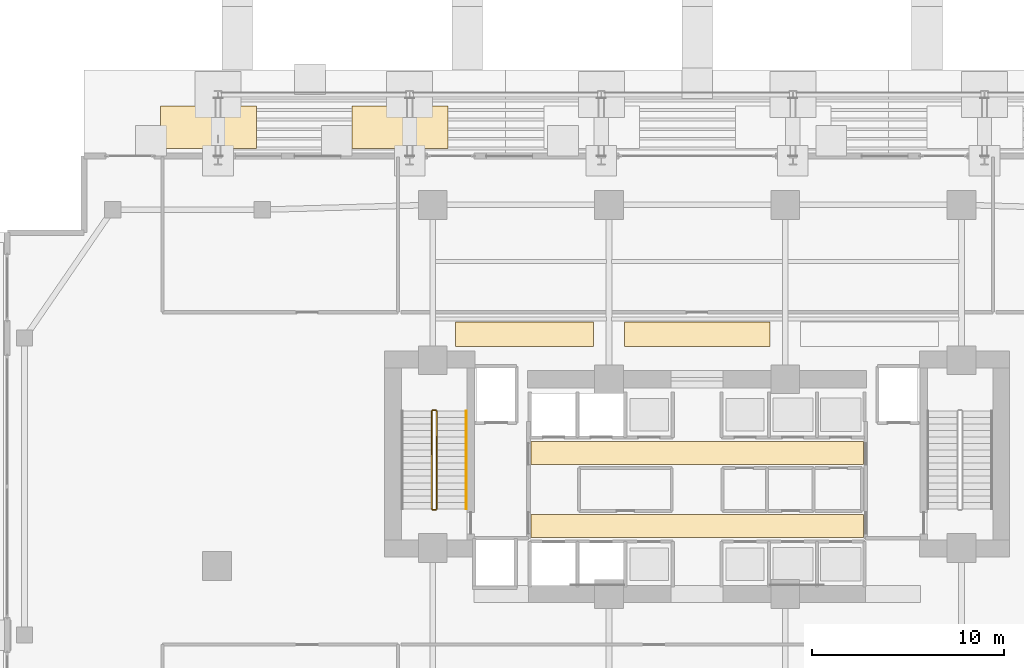
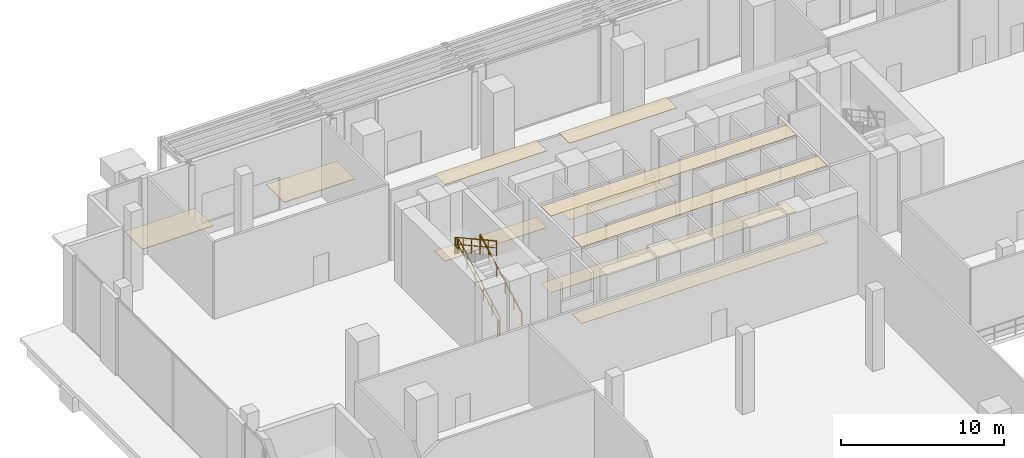
# One storey, part 35 of 39: 10 coverings, 5 railings.
"""IFC4 building model written with IfcOpenShell, lengths in metres."""

from ifc_helpers import new_model, si_unit, direction, frame, origin, origin_2d, place, context, subcontext, project, spatial, polyline, rectangle, outline, extrude, material, layer, layer_set, type_object, element, save


model = new_model("IFC4")

# Units and contexts
model_context = context("Model", 3, precision=1e-05, world=origin(), true_north=direction((0.0, 1.0)))
body_context = subcontext(model_context, "Body", "Model", "MODEL_VIEW")
ifc_project = project(units=[si_unit("LENGTHUNIT", "METRE"), si_unit("AREAUNIT", "SQUARE_METRE"), si_unit("VOLUMEUNIT", "CUBIC_METRE"), si_unit("PLANEANGLEUNIT", "RADIAN"), si_unit("MASSUNIT", "GRAM", prefix="KILO")], contexts=[model_context])

# Site, building, storey
site_placement = place(None, origin())
site = spatial("IfcSite", under=ifc_project, at=site_placement, CompositionType="ELEMENT")
building_placement = place(site_placement, origin())
building = spatial("IfcBuilding", under=site, at=building_placement, Name="Zuhayl Quay Hotel", CompositionType="ELEMENT")
storey_placement = place(building_placement, origin())
storey = spatial("IfcBuildingStorey", under=building, at=storey_placement, Name="L00", CompositionType="ELEMENT", Elevation=0.0)

# Coverings
ifc_material_1 = material(Name="Acoustic Mineral-Fibre Gypsum Board")
ifc_layer_1 = layer(ifc_material_1, 0.02490234375, Name="Acoustic Mineral-Fibre Gypsum Board")
ifc_layer_set_1 = layer_set([ifc_layer_1], Name="Acoustic Mineral-Fibre Gypsum Board")
covering_type_1 = type_object("IfcCoveringType", Name="CV_CEIL_ACOUSTIC", PredefinedType="CEILING", material=ifc_layer_set_1)
covering_1_placement = place(storey_placement, frame((0.0, 0.0, 5.72509765625)))
element("IfcCovering", 1, at=covering_1_placement, inside=storey, type_object=covering_type_1, Name="L00 Suspended Acoustic Lobby Ceiling S", PredefinedType="CEILING", context=body_context, shape_type="SweptSolid", body=[
    extrude(outline(polyline([(-8.679931640625, 5.10009765625), (8.679931640625, 5.10009765625), (8.679931640625, 6.300048828125), (-8.679931640625, 6.300048828125), (-8.679931640625, 5.10009765625)])), origin(), (0.0, 0.0, 1.0), 0.02490234375),
])
covering_2_placement = place(storey_placement, frame((0.0, 0.0, 5.72509765625)))
element("IfcCovering", 2, at=covering_2_placement, inside=storey, type_object=covering_type_1, Name="L00 Suspended Acoustic Lobby Ceiling N", PredefinedType="CEILING", context=body_context, shape_type="SweptSolid", body=[
    extrude(outline(polyline([(-8.679931640625, 8.89990234375), (8.679931640625, 8.89990234375), (8.679931640625, 10.10009765625), (-8.679931640625, 10.10009765625), (-8.679931640625, 8.89990234375)])), origin(), (0.0, 0.0, 1.0), 0.02490234375),
])
covering_3_placement = place(storey_placement, frame((0.0, 0.0, 5.72509765625)))
element("IfcCovering", 3, at=covering_3_placement, inside=storey, type_object=covering_type_1, Name="L00 Guest Corridor Acoustic Ceiling CW", PredefinedType="CEILING", context=body_context, shape_type="SweptSolid", body=[
    extrude(outline(polyline([(-12.60009765625, 15.050048828125), (-5.39990234375, 15.050048828125), (-5.39990234375, 16.35009765625), (-12.60009765625, 16.35009765625), (-12.60009765625, 15.050048828125)])), origin(), (0.0, 0.0, 1.0), 0.02490234375),
])
covering_4_placement = place(storey_placement, frame((0.0, 0.0, 5.72509765625)))
element("IfcCovering", 4, at=covering_4_placement, inside=storey, type_object=covering_type_1, Name="L00 Guest Corridor Acoustic Ceiling CC", PredefinedType="CEILING", context=body_context, shape_type="SweptSolid", body=[
    extrude(outline(polyline([(-3.800048828125, 15.050048828125), (3.800048828125, 15.050048828125), (3.800048828125, 16.35009765625), (-3.800048828125, 16.35009765625), (-3.800048828125, 15.050048828125)])), origin(), (0.0, 0.0, 1.0), 0.02490234375),
])
ifc_material_2 = material(Name="Polished Limestone Terrazzo", Category="masonry")
ifc_layer_2 = layer(ifc_material_2, 0.02001953125, Name="Polished Limestone Terrazzo", Category="masonry")
ifc_layer_set_2 = layer_set([ifc_layer_2], Name="Polished Limestone Terrazzo")
covering_type_2 = type_object("IfcCoveringType", Name="CV_FLOOR_TERRAZZO", PredefinedType="FLOORING", material=ifc_layer_set_2)
covering_5_placement = place(storey_placement, origin())
element("IfcCovering", 5, at=covering_5_placement, inside=storey, type_object=covering_type_2, Name="L00 Honed Limestone Terrazzo Lobby Flooring S", PredefinedType="FLOORING", context=body_context, shape_type="SweptSolid", body=[
    extrude(outline(polyline([(-8.679931640625, 5.10009765625), (8.679931640625, 5.10009765625), (8.679931640625, 6.300048828125), (-8.679931640625, 6.300048828125), (-8.679931640625, 5.10009765625)])), origin(), (0.0, 0.0, 1.0), 0.02001953125),
])
covering_6_placement = place(storey_placement, origin())
element("IfcCovering", 6, at=covering_6_placement, inside=storey, type_object=covering_type_2, Name="L00 Honed Limestone Terrazzo Lobby Flooring N", PredefinedType="FLOORING", context=body_context, shape_type="SweptSolid", body=[
    extrude(outline(polyline([(-8.679931640625, 8.89990234375), (8.679931640625, 8.89990234375), (8.679931640625, 10.10009765625), (-8.679931640625, 10.10009765625), (-8.679931640625, 8.89990234375)])), origin(), (0.0, 0.0, 1.0), 0.02001953125),
])
covering_7_placement = place(storey_placement, origin())
element("IfcCovering", 7, at=covering_7_placement, inside=storey, type_object=covering_type_2, Name="L00 Guest Corridor Terrazzo Runner CW", PredefinedType="FLOORING", context=body_context, shape_type="SweptSolid", body=[
    extrude(outline(polyline([(-12.60009765625, 15.050048828125), (-5.39990234375, 15.050048828125), (-5.39990234375, 16.35009765625), (-12.60009765625, 16.35009765625), (-12.60009765625, 15.050048828125)])), origin(), (0.0, 0.0, 1.0), 0.02001953125),
])
covering_8_placement = place(storey_placement, origin())
element("IfcCovering", 8, at=covering_8_placement, inside=storey, type_object=covering_type_2, Name="L00 Guest Corridor Terrazzo Runner CC", PredefinedType="FLOORING", context=body_context, shape_type="SweptSolid", body=[
    extrude(outline(polyline([(-3.800048828125, 15.050048828125), (3.800048828125, 15.050048828125), (3.800048828125, 16.35009765625), (-3.800048828125, 16.35009765625), (-3.800048828125, 15.050048828125)])), origin(), (0.0, 0.0, 1.0), 0.02001953125),
])
ifc_material_3 = material(Name="Flamed Granite Stone Pavers", Category="masonry")
ifc_layer_3 = layer(ifc_material_3, 0.0400390625, Name="Flamed Granite Stone Pavers", Category="masonry")
ifc_layer_set_3 = layer_set([ifc_layer_3], Name="Flamed Granite Stone Pavers")
covering_type_3 = type_object("IfcCoveringType", Name="CV_PROM_PAVING", PredefinedType="USERDEFINED", material=ifc_layer_set_3)
covering_9_placement = place(storey_placement, origin())
element("IfcCovering", 9, at=covering_9_placement, inside=storey, type_object=covering_type_3, Name="Waterfront Promenade Granite Paving Bay 1", ObjectType="PAVING", PredefinedType="USERDEFINED", context=body_context, shape_type="SweptSolid", body=[
    extrude(outline(polyline([(-28.0, 25.39990234375), (-23.0, 25.39990234375), (-23.0, 27.60009765625), (-28.0, 27.60009765625), (-28.0, 25.39990234375)])), origin(), (0.0, 0.0, 1.0), 0.0400390625),
])
covering_10_placement = place(storey_placement, origin())
element("IfcCovering", 10, at=covering_10_placement, inside=storey, type_object=covering_type_3, Name="Waterfront Promenade Granite Paving Bay 2", ObjectType="PAVING", PredefinedType="USERDEFINED", context=body_context, shape_type="SweptSolid", body=[
    extrude(outline(polyline([(-18.0, 25.39990234375), (-13.0, 25.39990234375), (-13.0, 27.60009765625), (-18.0, 27.60009765625), (-18.0, 25.39990234375)])), origin(), (0.0, 0.0, 1.0), 0.0400390625),
])

# Railings
ifc_material_4 = material(Name="Steel ASTM A992 Grade 50", Category="steel")
railing_type_1 = type_object("IfcRailingType", Name="RL_GUARD_1100", PredefinedType="GUARDRAIL", material=ifc_material_4)
railing_1_placement = place(storey_placement, frame((-13.590087890625, 6.590087890625, 0.1875)))
element("IfcRailing", 11, at=railing_1_placement, inside=storey, type_object=railing_type_1, Name="L00 ST1 stair guard 1", PredefinedType="GUARDRAIL", context=body_context, shape_type="SweptSolid", body=[
    extrude(rectangle(XDim=0.048095703125, YDim=0.048095703125, at=origin_2d()), frame((0.0, 0.0, 1.09619140625), z_axis=(0.0, 0.875665712831, 0.482917756322), x_axis=(-1.0, 0.0, 0.0)), (0.0, 0.0, 1.0), 5.823974609375),
    extrude(rectangle(XDim=0.0361328125, YDim=0.0361328125, at=origin_2d()), frame((0.0, 0.0, 0.58251953125), z_axis=(0.0, 0.875665712831, 0.482917756322), x_axis=(-1.0, 0.0, 0.0)), (0.0, 0.0, 1.0), 5.823974609375),
    extrude(rectangle(XDim=0.0419921875, YDim=0.0419921875, at=origin_2d()), origin(), (0.0, 0.0, 1.0), 1.072021484375),
    extrude(rectangle(XDim=0.0419921875, YDim=0.0419921875, at=origin_2d()), frame((0.0, 1.02001953125, 0.5625)), (0.0, 0.0, 1.0), 1.072021484375),
    extrude(rectangle(XDim=0.0419921875, YDim=0.0419921875, at=origin_2d()), frame((0.0, 2.0400390625, 1.125)), (0.0, 0.0, 1.0), 1.072021484375),
    extrude(rectangle(XDim=0.0419921875, YDim=0.0419921875, at=origin_2d()), frame((0.0, 3.059814453125, 1.6875)), (0.0, 0.0, 1.0), 1.072021484375),
    extrude(rectangle(XDim=0.0419921875, YDim=0.0419921875, at=origin_2d()), frame((0.0, 4.079833984375, 2.25)), (0.0, 0.0, 1.0), 1.072021484375),
    extrude(rectangle(XDim=0.0419921875, YDim=0.0419921875, at=origin_2d()), frame((0.0, 5.099853515625, 2.8125)), (0.0, 0.0, 1.0), 1.072021484375),
])
railing_2_placement = place(storey_placement, frame((-13.639892578125, 11.739990234375, 3.0)))
element("IfcRailing", 12, at=railing_2_placement, inside=storey, type_object=railing_type_1, Name="L00 ST1 stair guard 2", PredefinedType="GUARDRAIL", context=body_context, shape_type="SweptSolid", body=[
    extrude(rectangle(XDim=0.048095703125, YDim=0.048095703125, at=origin_2d()), frame((0.0, 0.0, 1.09619140625), z_axis=(-1.0, 0.0, 0.0), x_axis=(0.0, -1.0, 0.0)), (0.0, 0.0, 1.0), 0.150146484375),
    extrude(rectangle(XDim=0.0361328125, YDim=0.0361328125, at=origin_2d()), frame((0.0, 0.0, 0.58251953125), z_axis=(-1.0, 0.0, 0.0), x_axis=(0.0, -1.0, 0.0)), (0.0, 0.0, 1.0), 0.150146484375),
    extrude(rectangle(XDim=0.0419921875, YDim=0.0419921875, at=origin_2d()), origin(), (0.0, 0.0, 1.0), 1.072021484375),
    extrude(rectangle(XDim=0.0419921875, YDim=0.0419921875, at=origin_2d()), frame((-0.150146484375, 0.0, 0.0)), (0.0, 0.0, 1.0), 1.072021484375),
])
railing_3_placement = place(storey_placement, frame((-13.840087890625, 11.68994140625, 3.1875)))
element("IfcRailing", 13, at=railing_3_placement, inside=storey, type_object=railing_type_1, Name="L00 ST1 stair guard 3", PredefinedType="GUARDRAIL", context=body_context, shape_type="SweptSolid", body=[
    extrude(rectangle(XDim=0.048095703125, YDim=0.048095703125, at=origin_2d()), frame((0.0, 0.0, 1.09619140625), z_axis=(0.0, -0.875665712831, 0.482917756322), x_axis=(1.0, 0.0, 0.0)), (0.0, 0.0, 1.0), 5.823974609375),
    extrude(rectangle(XDim=0.0361328125, YDim=0.0361328125, at=origin_2d()), frame((0.0, 0.0, 0.58251953125), z_axis=(0.0, -0.875665712831, 0.482917756322), x_axis=(1.0, 0.0, 0.0)), (0.0, 0.0, 1.0), 5.823974609375),
    extrude(rectangle(XDim=0.0419921875, YDim=0.0419921875, at=origin_2d()), origin(), (0.0, 0.0, 1.0), 1.072021484375),
    extrude(rectangle(XDim=0.0419921875, YDim=0.0419921875, at=origin_2d()), frame((0.0, -1.02001953125, 0.5625)), (0.0, 0.0, 1.0), 1.072021484375),
    extrude(rectangle(XDim=0.0419921875, YDim=0.0419921875, at=origin_2d()), frame((0.0, -2.0400390625, 1.125)), (0.0, 0.0, 1.0), 1.072021484375),
    extrude(rectangle(XDim=0.0419921875, YDim=0.0419921875, at=origin_2d()), frame((0.0, -3.059814453125, 1.6875)), (0.0, 0.0, 1.0), 1.072021484375),
    extrude(rectangle(XDim=0.0419921875, YDim=0.0419921875, at=origin_2d()), frame((0.0, -4.079833984375, 2.25)), (0.0, 0.0, 1.0), 1.072021484375),
    extrude(rectangle(XDim=0.0419921875, YDim=0.0419921875, at=origin_2d()), frame((0.0, -5.099853515625, 2.8125)), (0.0, 0.0, 1.0), 1.072021484375),
])
railing_4_placement = place(storey_placement, frame((-13.639892578125, 6.5400390625, 0.0)))
element("IfcRailing", 14, at=railing_4_placement, inside=storey, type_object=railing_type_1, Name="L00 ST1 stair guard 4", PredefinedType="GUARDRAIL", context=body_context, shape_type="SweptSolid", body=[
    extrude(rectangle(XDim=0.048095703125, YDim=0.048095703125, at=origin_2d()), frame((0.0, 0.0, 1.09619140625), z_axis=(-1.0, 0.0, 0.0), x_axis=(0.0, -1.0, 0.0)), (0.0, 0.0, 1.0), 0.150146484375),
    extrude(rectangle(XDim=0.0361328125, YDim=0.0361328125, at=origin_2d()), frame((0.0, 0.0, 0.58251953125), z_axis=(-1.0, 0.0, 0.0), x_axis=(0.0, -1.0, 0.0)), (0.0, 0.0, 1.0), 0.150146484375),
    extrude(rectangle(XDim=0.0419921875, YDim=0.0419921875, at=origin_2d()), origin(), (0.0, 0.0, 1.0), 1.072021484375),
    extrude(rectangle(XDim=0.0419921875, YDim=0.0419921875, at=origin_2d()), frame((-0.150146484375, 0.0, 0.0)), (0.0, 0.0, 1.0), 1.072021484375),
])
railing_type_2 = type_object("IfcRailingType", Name="RL_HANDRAIL_920", PredefinedType="HANDRAIL", material=ifc_material_4)
railing_5_placement = place(storey_placement, frame((-12.050048828125, 6.590087890625, 0.1875)))
element("IfcRailing", 15, at=railing_5_placement, inside=storey, type_object=railing_type_2, Name="L00 ST1 stair handrail 1", PredefinedType="HANDRAIL", context=body_context, shape_type="SweptSolid", body=[
    extrude(rectangle(XDim=0.048095703125, YDim=0.048095703125, at=origin_2d()), frame((0.0, 0.0, 0.8759765625), z_axis=(0.0, 0.875665712831, 0.482917756322), x_axis=(-1.0, 0.0, 0.0)), (0.0, 0.0, 1.0), 5.823974609375),
    extrude(rectangle(XDim=0.0419921875, YDim=0.0419921875, at=origin_2d()), origin(), (0.0, 0.0, 1.0), 0.851806640625),
    extrude(rectangle(XDim=0.0419921875, YDim=0.0419921875, at=origin_2d()), frame((0.0, 1.02001953125, 0.5625)), (0.0, 0.0, 1.0), 0.851806640625),
    extrude(rectangle(XDim=0.0419921875, YDim=0.0419921875, at=origin_2d()), frame((0.0, 2.0400390625, 1.125)), (0.0, 0.0, 1.0), 0.851806640625),
    extrude(rectangle(XDim=0.0419921875, YDim=0.0419921875, at=origin_2d()), frame((0.0, 3.059814453125, 1.6875)), (0.0, 0.0, 1.0), 0.851806640625),
    extrude(rectangle(XDim=0.0419921875, YDim=0.0419921875, at=origin_2d()), frame((0.0, 4.079833984375, 2.25)), (0.0, 0.0, 1.0), 0.851806640625),
    extrude(rectangle(XDim=0.0419921875, YDim=0.0419921875, at=origin_2d()), frame((0.0, 5.099853515625, 2.8125)), (0.0, 0.0, 1.0), 0.851806640625),
])

save(model, "model.ifc")
